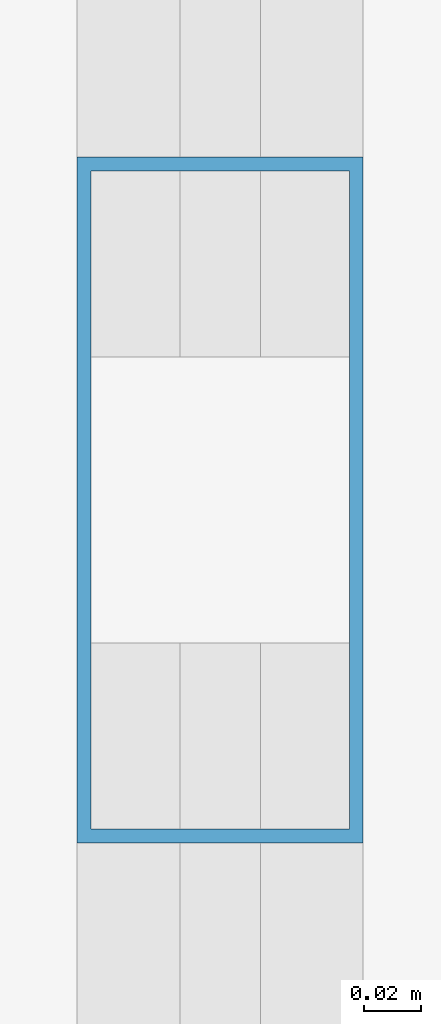
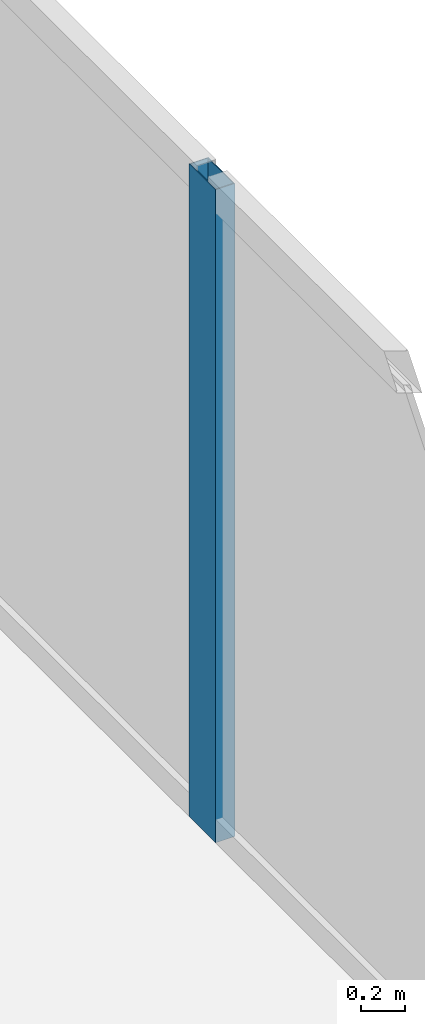
# One storey, part 9 of 26: 1 member, 1 element without a shape of its own.
"""IFC4 building model written with IfcOpenShell, lengths in metres."""

from ifc_helpers import new_model, si_unit, direction, frame, origin, origin_2d, place, context, subcontext, project, spatial, hollow_rectangle, extrude, material, layer, layer_set, material_profile, profile_set, type_object, element, aggregate, save


model = new_model("IFC4")

# Units and contexts
model_context = context("Model", 3, precision=1e-05, world=origin(), true_north=direction((0.0, 1.0)))
body_context = subcontext(model_context, "Body", "Model", "MODEL_VIEW")
ifc_project = project(units=[si_unit("LENGTHUNIT", "METRE"), si_unit("AREAUNIT", "SQUARE_METRE"), si_unit("VOLUMEUNIT", "CUBIC_METRE"), si_unit("PLANEANGLEUNIT", "RADIAN"), si_unit("MASSUNIT", "GRAM", prefix="KILO")], contexts=[model_context])

# Site, building, storey
site_placement = place(None, origin())
site = spatial("IfcSite", under=ifc_project, at=site_placement, CompositionType="ELEMENT")
building_placement = place(site_placement, origin())
building = spatial("IfcBuilding", under=site, at=building_placement, Name="Khorvyn Point Tower", CompositionType="ELEMENT")
storey_placement = place(building_placement, frame((0.0, 0.0, 187.5)))
storey = spatial("IfcBuildingStorey", under=building, at=storey_placement, Name="L46", CompositionType="ELEMENT", Elevation=187.5)

# Curtain wall, member
ifc_material_1 = material(Name="Anodised aluminium 6063-T6 and laminated Low-E glass", Category="aluminium")
ifc_layer = layer(ifc_material_1, 0.18994140625)
ifc_layer_set = layer_set([ifc_layer], Name="Stick-Built Acoustic Curtain Wall CW-SYS-03")
curtain_wall_type = type_object("IfcCurtainWallType", Name="Stick-Built Acoustic Curtain Wall CW-SYS-03", PredefinedType="NOTDEFINED", material=ifc_layer_set)
curtain_wall_placement = place(storey_placement, origin())
curtain_wall = element("IfcCurtainWall", 1, at=curtain_wall_placement, inside=storey, type_object=curtain_wall_type, Name="Curtain Wall", PredefinedType="NOTDEFINED")
ifc_material_2 = material(Name="Anodised aluminium 6063-T6", Category="aluminium")
ifc_material_profile = material_profile(ifc_material_2, hollow_rectangle(XDim=0.10009765625, YDim=0.239990234375, WallThickness=0.0048828125, at=origin_2d()))
ifc_profile_set = profile_set([ifc_material_profile], Name="Anodised aluminium 6063-T6 ALU-MUL-100x240")
member_type = type_object("IfcMemberType", Name="Anodised Aluminium 6063-T6 Mullion ALU-MUL-100x240", PredefinedType="MULLION", material=ifc_profile_set)
member_placement = place(storey_placement, frame((21.75, 0.0, 0.0), z_axis=(0.0, 0.0, 1.0), x_axis=(1.0, 0.0, 0.0)))
member = element("IfcMember", 2, at=member_placement, type_object=member_type, Name="Transom", PredefinedType="MULLION", context=body_context, shape_type="SweptSolid", body=[
    extrude(hollow_rectangle(XDim=0.10009765625, YDim=0.239990234375, WallThickness=0.0048828125, at=origin_2d()), origin(), (0.0, 0.0, 1.0), 3.6201171875),
])
aggregate(curtain_wall, [member])

save(model, "model.ifc")
